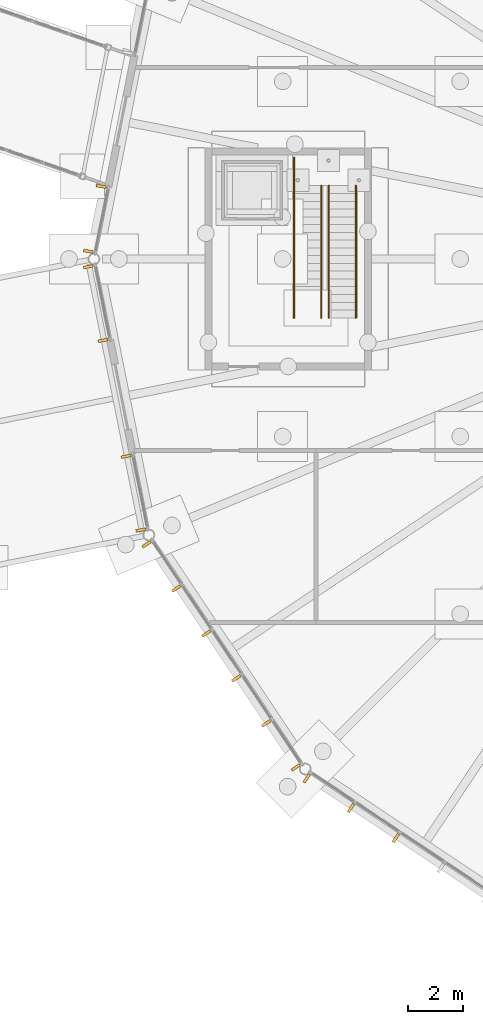
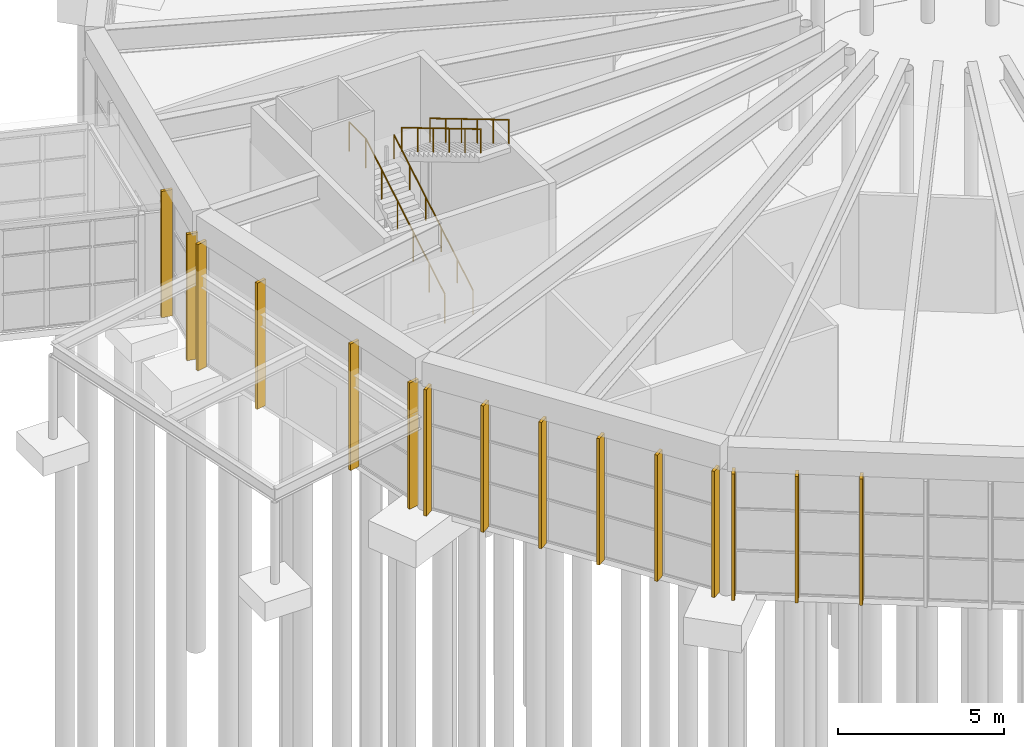
# One storey, part 212 of 226: 15 coverings, 4 railings.
"""IFC4 building model written with IfcOpenShell, lengths in metres."""

from ifc_helpers import new_model, si_unit, direction, frame, origin, origin_2d, place, context, subcontext, project, spatial, rectangle, circle, extrude, material, layer, layer_set, type_object, element, save


model = new_model("IFC4")

# Units and contexts
model_context = context("Model", 3, precision=1e-05, world=origin(), true_north=direction((0.0, 1.0)))
body_context = subcontext(model_context, "Body", "Model", "MODEL_VIEW")
ifc_project = project(units=[si_unit("LENGTHUNIT", "METRE"), si_unit("AREAUNIT", "SQUARE_METRE"), si_unit("VOLUMEUNIT", "CUBIC_METRE"), si_unit("PLANEANGLEUNIT", "RADIAN"), si_unit("MASSUNIT", "GRAM", prefix="KILO")], contexts=[model_context])

# Site, building, storey
site_placement = place(None, origin())
site = spatial("IfcSite", under=ifc_project, at=site_placement, CompositionType="ELEMENT")
building_placement = place(site_placement, origin())
building = spatial("IfcBuilding", under=site, at=building_placement, Name="Ceibo Conservatory and Research Tower", CompositionType="ELEMENT")
storey_placement = place(building_placement, origin())
storey = spatial("IfcBuildingStorey", under=building, at=storey_placement, Name="L00", CompositionType="ELEMENT", Elevation=0.0)

# Coverings
ifc_material_1 = material(Name="Ceramic")
ifc_layer = layer(ifc_material_1, 0.10009765625)
ifc_layer_set = layer_set([ifc_layer], Name="Ceramic")
covering_type = type_object("IfcCoveringType", Name="Ceramic fin 100 x 350", PredefinedType="CLADDING", material=ifc_layer_set)
for number, where, z_axis, x_axis, name in (
    (1, (142.260986328125, 38.61865234375, 0.0), (0.0, 0.0, 1.0), (0.195090065247, 0.980785331478, 0.0), "Ceramic fin 8.7"),
    (2, (141.79541015625, 36.278564453125, 0.0), (0.0, 0.0, 1.0), (0.195090065247, 0.980785331478, 0.0), "Ceramic fin 8.8"),
    (3, (141.79541015625, 35.721435546875, 0.0), (0.0, 0.0, 1.0), (-0.195090065247, 0.980785331478, 0.0), "Ceramic fin 9.9"),
    (4, (142.323974609375, 33.064453125, 0.0), (0.0, 0.0, 1.0), (-0.195090065247, 0.980785331478, 0.0), "Ceramic fin 9.10"),
    (5, (143.155029296875, 28.88623046875, 0.0), (0.0, 0.0, 1.0), (-0.195090065247, 0.980785331478, 0.0), "Ceramic fin 9.11"),
    (6, (143.68359375, 26.229248046875, 0.0), (0.0, 0.0, 1.0), (-0.195090065247, 0.980785331478, 0.0), "Ceramic fin 9.12"),
    (7, (143.896728515625, 25.714599609375, 0.0), (0.0, 0.0, 1.0), (-0.555569899246, 0.831469835323, 0.0), "Ceramic fin 10.13"),
    (8, (144.962158203125, 24.1201171875, 0.0), (0.0, 0.0, 1.0), (-0.555569899246, 0.831469835323, 0.0), "Ceramic fin 10.14"),
    (9, (146.044189453125, 22.500732421875, 0.0), (0.0, 0.0, 1.0), (-0.555569899246, 0.831469835323, 0.0), "Ceramic fin 10.15"),
    (10, (147.126220703125, 20.88134765625, 0.0), (0.0, 0.0, 1.0), (-0.555569899246, 0.831469835323, 0.0), "Ceramic fin 10.16"),
    (11, (148.208251953125, 19.261962890625, 0.0), (0.0, 0.0, 1.0), (-0.555569899246, 0.831469835323, 0.0), "Ceramic fin 10.17"),
    (12, (149.273681640625, 17.66748046875, 0.0), (0.0, 0.0, 1.0), (-0.555569899246, 0.831469835323, 0.0), "Ceramic fin 10.18"),
    (13, (149.66748046875, 17.273681640625, 0.0), (0.0, 0.0, 1.0), (-0.831469835323, 0.555569899246, 0.0), "Ceramic fin 11.19"),
    (14, (151.261962890625, 16.208251953125, 0.0), (0.0, 0.0, 1.0), (-0.831469835323, 0.555569899246, 0.0), "Ceramic fin 11.20"),
    (15, (152.88134765625, 15.126220703125, 0.0), (0.0, 0.0, 1.0), (-0.831469835323, 0.555569899246, 0.0), "Ceramic fin 11.21"),
):
    element("IfcCovering", number, at=place(storey_placement, frame(where, z_axis=z_axis, x_axis=x_axis)), inside=storey, type_object=covering_type, Name=name, PredefinedType="CLADDING", context=body_context, shape_type="SweptSolid", body=[
        extrude(rectangle(XDim=0.10009765625, YDim=0.35009765625, at=origin_2d()), origin(), (0.0, 0.0, 1.0), 4.64892578125),
    ])

# Railings
ifc_material_2 = material(Name="Stainless steel AISI 316", Category="steel")
railing_type_1 = type_object("IfcRailingType", Name="Conservatory guard 1100", PredefinedType="GUARDRAIL", material=ifc_material_2)
railing_1_placement = place(storey_placement, frame((149.2099609375, 33.8798828125, 0.166748046875)))
element("IfcRailing", 16, at=railing_1_placement, inside=storey, type_object=railing_type_1, Name="Guard terrace stair flight A and landing, west side", PredefinedType="GUARDRAIL", context=body_context, shape_type="SweptSolid", body=[
    extrude(circle(Radius=0.02392578125, at=origin_2d()), frame((0.0, 0.0, 1.076171875), z_axis=(0.0, 0.859299802514, 0.511472237174), x_axis=(-1.0, 0.0, 0.0)), (0.0, 0.0, 1.0), 5.539306640625),
    extrude(circle(Radius=0.02392578125, at=origin_2d()), frame((0.0, 4.760009765625, 3.9091796875), z_axis=(0.0, 1.0, 0.0), x_axis=(-1.0, 0.0, 0.0)), (0.0, 0.0, 1.0), 1.010009765625),
    extrude(circle(Radius=0.02099609375, at=origin_2d()), origin(), (0.0, 0.0, 1.0), 1.052001953125),
    extrude(circle(Radius=0.02099609375, at=origin_2d()), frame((0.0, 0.951904296875, 0.566650390625)), (0.0, 0.0, 1.0), 1.052001953125),
    extrude(circle(Radius=0.02099609375, at=origin_2d()), frame((0.0, 1.904052734375, 1.13330078125)), (0.0, 0.0, 1.0), 1.052001953125),
    extrude(circle(Radius=0.02099609375, at=origin_2d()), frame((0.0, 2.85595703125, 1.699951171875)), (0.0, 0.0, 1.0), 1.052001953125),
    extrude(circle(Radius=0.02099609375, at=origin_2d()), frame((0.0, 3.80810546875, 2.2666015625)), (0.0, 0.0, 1.0), 1.052001953125),
    extrude(circle(Radius=0.02099609375, at=origin_2d()), frame((0.0, 4.760009765625, 2.833251953125)), (0.0, 0.0, 1.0), 1.052001953125),
    extrude(circle(Radius=0.02099609375, at=origin_2d()), frame((0.0, 5.77001953125, 2.833251953125)), (0.0, 0.0, 1.0), 1.052001953125),
])
railing_type_2 = type_object("IfcRailingType", Name="Conservatory handrail 900", PredefinedType="HANDRAIL", material=ifc_material_2)
railing_2_placement = place(storey_placement, frame((150.18994140625, 33.8798828125, 0.166748046875)))
element("IfcRailing", 17, at=railing_2_placement, inside=storey, type_object=railing_type_2, Name="Handrail terrace stair flight A, east side", PredefinedType="HANDRAIL", context=body_context, shape_type="SweptSolid", body=[
    extrude(circle(Radius=0.02392578125, at=origin_2d()), frame((0.0, 0.0, 0.8759765625), z_axis=(0.0, 0.859299802514, 0.511472237174), x_axis=(-1.0, 0.0, 0.0)), (0.0, 0.0, 1.0), 5.539306640625),
    extrude(circle(Radius=0.02099609375, at=origin_2d()), origin(), (0.0, 0.0, 1.0), 0.851806640625),
    extrude(circle(Radius=0.02099609375, at=origin_2d()), frame((0.0, 0.951904296875, 0.566650390625)), (0.0, 0.0, 1.0), 0.851806640625),
    extrude(circle(Radius=0.02099609375, at=origin_2d()), frame((0.0, 1.904052734375, 1.13330078125)), (0.0, 0.0, 1.0), 0.851806640625),
    extrude(circle(Radius=0.02099609375, at=origin_2d()), frame((0.0, 2.85595703125, 1.699951171875)), (0.0, 0.0, 1.0), 0.851806640625),
    extrude(circle(Radius=0.02099609375, at=origin_2d()), frame((0.0, 3.80810546875, 2.2666015625)), (0.0, 0.0, 1.0), 0.851806640625),
    extrude(circle(Radius=0.02099609375, at=origin_2d()), frame((0.0, 4.760009765625, 2.833251953125)), (0.0, 0.0, 1.0), 0.851806640625),
])
for number, where, name in (
    (18, (151.43994140625, 38.639892578125, 3.166748046875), "Handrail terrace stair flight B, W side"),
    (19, (150.4599609375, 38.639892578125, 3.166748046875), "Handrail terrace stair flight B, E side"),
):
    element("IfcRailing", number, at=place(storey_placement, frame(where)), inside=storey, type_object=railing_type_2, Name=name, PredefinedType="HANDRAIL", context=body_context, shape_type="SweptSolid", body=[
        extrude(circle(Radius=0.02392578125, at=origin_2d()), frame((0.0, 0.0, 0.8759765625), z_axis=(0.0, -0.859299802514, 0.511472237174), x_axis=(1.0, 0.0, 0.0)), (0.0, 0.0, 1.0), 5.539306640625),
        extrude(circle(Radius=0.02099609375, at=origin_2d()), origin(), (0.0, 0.0, 1.0), 0.851806640625),
        extrude(circle(Radius=0.02099609375, at=origin_2d()), frame((0.0, -0.951904296875, 0.566650390625)), (0.0, 0.0, 1.0), 0.851806640625),
        extrude(circle(Radius=0.02099609375, at=origin_2d()), frame((0.0, -1.904052734375, 1.13330078125)), (0.0, 0.0, 1.0), 0.851806640625),
        extrude(circle(Radius=0.02099609375, at=origin_2d()), frame((0.0, -2.85595703125, 1.699951171875)), (0.0, 0.0, 1.0), 0.851806640625),
        extrude(circle(Radius=0.02099609375, at=origin_2d()), frame((0.0, -3.80810546875, 2.2666015625)), (0.0, 0.0, 1.0), 0.851806640625),
        extrude(circle(Radius=0.02099609375, at=origin_2d()), frame((0.0, -4.760009765625, 2.833251953125)), (0.0, 0.0, 1.0), 0.851806640625),
    ])

save(model, "model.ifc")
